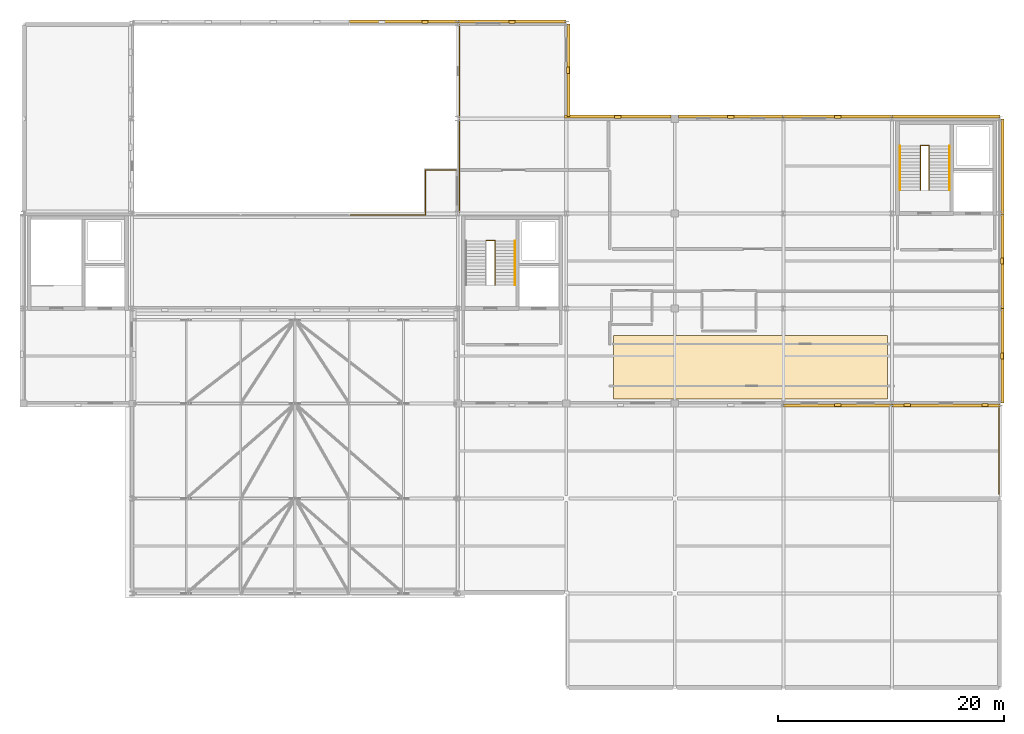
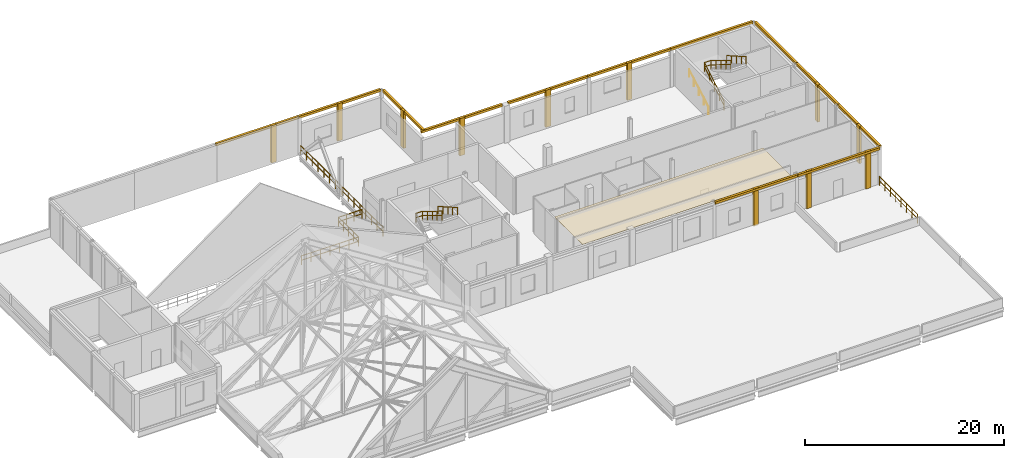
# One storey, part 26 of 26: 24 coverings, 14 railings.
"""IFC4 building model written with IfcOpenShell, lengths in metres."""

from ifc_helpers import new_model, si_unit, direction, frame, origin, origin_2d, place, context, subcontext, project, spatial, polyline, circle, outline, extrude, material, layer, layer_set, type_object, element, save


model = new_model("IFC4")

# Units and contexts
model_context = context("Model", 3, precision=1e-05, world=origin(), true_north=direction((0.0, 1.0)))
body_context = subcontext(model_context, "Body", "Model", "MODEL_VIEW")
ifc_project = project(units=[si_unit("LENGTHUNIT", "METRE"), si_unit("AREAUNIT", "SQUARE_METRE"), si_unit("VOLUMEUNIT", "CUBIC_METRE"), si_unit("PLANEANGLEUNIT", "RADIAN"), si_unit("MASSUNIT", "GRAM", prefix="KILO")], contexts=[model_context])

# Site, building, storey
site_placement = place(None, origin())
site = spatial("IfcSite", under=ifc_project, at=site_placement, CompositionType="ELEMENT")
building_placement = place(site_placement, origin())
building = spatial("IfcBuilding", under=site, at=building_placement, Name="Lornevale Opera House", CompositionType="ELEMENT")
storey_placement = place(building_placement, frame((0.0, 0.0, 19.800048828125)))
storey = spatial("IfcBuildingStorey", under=building, at=storey_placement, Name="L05", CompositionType="ELEMENT", Elevation=19.800048828125)

# Railings
ifc_material_1 = material(Name="Structural Steel CSA G40.21 Grade 350W (350 MPa)", Category="steel")
ifc_layer_1 = layer(ifc_material_1, 0.06005859375)
ifc_layer_set_1 = layer_set([ifc_layer_1], Name="Structural Steel CSA G40.21 Grade 350W (350 MPa)")
railing_type_1 = type_object("IfcRailingType", Name="Atrium Acoustic Balustrade 1120", PredefinedType="BALUSTRADE", material=ifc_layer_set_1)
railing_1_placement = place(storey_placement, frame((86.52001953125, 67.06005859375, 0.0)))
element("IfcRailing", 1, at=railing_1_placement, inside=storey, type_object=railing_type_1, Name="Atrium & Bowl Balustrade L05 0387", PredefinedType="BALUSTRADE", context=body_context, shape_type="SweptSolid", body=[
    extrude(circle(Radius=0.02392578125, at=origin_2d()), frame((0.0, 0.0, 1.09619140625), z_axis=(1.0, 0.0, 0.0), x_axis=(0.0, 1.0, 0.0)), (0.0, 0.0, 1.0), 6.619873046875),
    extrude(circle(Radius=0.02392578125, at=origin_2d()), frame((0.0, 0.0, 0.56005859375), z_axis=(1.0, 0.0, 0.0), x_axis=(0.0, 1.0, 0.0)), (0.0, 0.0, 1.0), 6.619873046875),
    extrude(circle(Radius=0.02099609375, at=origin_2d()), origin(), (0.0, 0.0, 1.0), 1.072021484375),
    extrude(circle(Radius=0.02099609375, at=origin_2d()), frame((1.103271484375, 0.0, 0.0)), (0.0, 0.0, 1.0), 1.072021484375),
    extrude(circle(Radius=0.02099609375, at=origin_2d()), frame((2.20654296875, 0.0, 0.0)), (0.0, 0.0, 1.0), 1.072021484375),
    extrude(circle(Radius=0.02099609375, at=origin_2d()), frame((3.31005859375, 0.0, 0.0)), (0.0, 0.0, 1.0), 1.072021484375),
    extrude(circle(Radius=0.02099609375, at=origin_2d()), frame((4.413330078125, 0.0, 0.0)), (0.0, 0.0, 1.0), 1.072021484375),
    extrude(circle(Radius=0.02099609375, at=origin_2d()), frame((5.5166015625, 0.0, 0.0)), (0.0, 0.0, 1.0), 1.072021484375),
    extrude(circle(Radius=0.02099609375, at=origin_2d()), frame((6.619873046875, 0.0, 0.0)), (0.0, 0.0, 1.0), 1.072021484375),
])
for number, where, name in (
    (2, (96.139892578125, 67.320068359375, 0.0), "Atrium & Bowl Balustrade L05 0388"),
    (3, (96.139892578125, 75.719970703125, 0.0), "Atrium & Bowl Balustrade L05 0389"),
):
    element("IfcRailing", number, at=place(storey_placement, frame(where)), inside=storey, type_object=railing_type_1, Name=name, PredefinedType="BALUSTRADE", context=body_context, shape_type="SweptSolid", body=[
        extrude(circle(Radius=0.02392578125, at=origin_2d()), frame((0.0, 0.0, 1.09619140625), z_axis=(0.0, 1.0, 0.0), x_axis=(-1.0, 0.0, 0.0)), (0.0, 0.0, 1.0), 8.159912109375),
        extrude(circle(Radius=0.02392578125, at=origin_2d()), frame((0.0, 0.0, 0.56005859375), z_axis=(0.0, 1.0, 0.0), x_axis=(-1.0, 0.0, 0.0)), (0.0, 0.0, 1.0), 8.159912109375),
        extrude(circle(Radius=0.02099609375, at=origin_2d()), origin(), (0.0, 0.0, 1.0), 1.072021484375),
        extrude(circle(Radius=0.02099609375, at=origin_2d()), frame((0.0, 1.165771484375, 0.0)), (0.0, 0.0, 1.0), 1.072021484375),
        extrude(circle(Radius=0.02099609375, at=origin_2d()), frame((0.0, 2.331298828125, 0.0)), (0.0, 0.0, 1.0), 1.072021484375),
        extrude(circle(Radius=0.02099609375, at=origin_2d()), frame((0.0, 3.4970703125, 0.0)), (0.0, 0.0, 1.0), 1.072021484375),
        extrude(circle(Radius=0.02099609375, at=origin_2d()), frame((0.0, 4.662841796875, 0.0)), (0.0, 0.0, 1.0), 1.072021484375),
        extrude(circle(Radius=0.02099609375, at=origin_2d()), frame((0.0, 5.82861328125, 0.0)), (0.0, 0.0, 1.0), 1.072021484375),
        extrude(circle(Radius=0.02099609375, at=origin_2d()), frame((0.0, 6.994140625, 0.0)), (0.0, 0.0, 1.0), 1.072021484375),
        extrude(circle(Radius=0.02099609375, at=origin_2d()), frame((0.0, 8.159912109375, 0.0)), (0.0, 0.0, 1.0), 1.072021484375),
    ])
railing_2_placement = place(storey_placement, frame((93.139892578125, 67.06005859375, 0.0)))
element("IfcRailing", 4, at=railing_2_placement, inside=storey, type_object=railing_type_1, Name="Fly Tower Catwalk Guard L05 0390", PredefinedType="BALUSTRADE", context=body_context, shape_type="SweptSolid", body=[
    extrude(circle(Radius=0.02392578125, at=origin_2d()), frame((0.0, 0.0, 1.09619140625), z_axis=(0.0, 1.0, 0.0), x_axis=(-1.0, 0.0, 0.0)), (0.0, 0.0, 1.0), 4.0),
    extrude(circle(Radius=0.02392578125, at=origin_2d()), frame((0.0, 0.0, 0.56005859375), z_axis=(0.0, 1.0, 0.0), x_axis=(-1.0, 0.0, 0.0)), (0.0, 0.0, 1.0), 4.0),
    extrude(circle(Radius=0.02099609375, at=origin_2d()), origin(), (0.0, 0.0, 1.0), 1.072021484375),
    extrude(circle(Radius=0.02099609375, at=origin_2d()), frame((0.0, 1.0, 0.0)), (0.0, 0.0, 1.0), 1.072021484375),
    extrude(circle(Radius=0.02099609375, at=origin_2d()), frame((0.0, 2.0, 0.0)), (0.0, 0.0, 1.0), 1.072021484375),
    extrude(circle(Radius=0.02099609375, at=origin_2d()), frame((0.0, 3.0, 0.0)), (0.0, 0.0, 1.0), 1.072021484375),
    extrude(circle(Radius=0.02099609375, at=origin_2d()), frame((0.0, 4.0, 0.0)), (0.0, 0.0, 1.0), 1.072021484375),
])
railing_3_placement = place(storey_placement, frame((93.139892578125, 71.06005859375, 0.0)))
element("IfcRailing", 5, at=railing_3_placement, inside=storey, type_object=railing_type_1, Name="Fly Tower Catwalk Guard L05 0391", PredefinedType="BALUSTRADE", context=body_context, shape_type="SweptSolid", body=[
    extrude(circle(Radius=0.02392578125, at=origin_2d()), frame((0.0, 0.0, 1.09619140625), z_axis=(1.0, 0.0, 0.0), x_axis=(0.0, 1.0, 0.0)), (0.0, 0.0, 1.0), 2.72021484375),
    extrude(circle(Radius=0.02392578125, at=origin_2d()), frame((0.0, 0.0, 0.56005859375), z_axis=(1.0, 0.0, 0.0), x_axis=(0.0, 1.0, 0.0)), (0.0, 0.0, 1.0), 2.72021484375),
    extrude(circle(Radius=0.02099609375, at=origin_2d()), origin(), (0.0, 0.0, 1.0), 1.072021484375),
    extrude(circle(Radius=0.02099609375, at=origin_2d()), frame((0.90673828125, 0.0, 0.0)), (0.0, 0.0, 1.0), 1.072021484375),
    extrude(circle(Radius=0.02099609375, at=origin_2d()), frame((1.8134765625, 0.0, 0.0)), (0.0, 0.0, 1.0), 1.072021484375),
    extrude(circle(Radius=0.02099609375, at=origin_2d()), frame((2.72021484375, 0.0, 0.0)), (0.0, 0.0, 1.0), 1.072021484375),
])

# Coverings
ifc_material_2 = material(Name="Precast Concrete 40 MPa (CSA A23.1 C-1)", Category="concrete")
ifc_layer_2 = layer(ifc_material_2, 0.260009765625)
ifc_layer_set_2 = layer_set([ifc_layer_2], Name="Precast Concrete 40 MPa (CSA A23.1 C-1)")
covering_type_1 = type_object("IfcCoveringType", Name="Postmodern Sandstone Pilaster Rib", PredefinedType="CLADDING", material=ifc_layer_set_2)
covering_1_placement = place(storey_placement, origin())
element("IfcCovering", 6, at=covering_1_placement, inside=storey, type_object=covering_type_1, Name="Postmodern Sandstone Pilaster 0435", PredefinedType="CLADDING", context=body_context, shape_type="SweptSolid", body=[
    extrude(outline(polyline([(92.827880859375, 84.0), (93.387939453125, 84.0), (93.387939453125, 84.280029296875), (92.827880859375, 84.280029296875), (92.827880859375, 84.0)])), origin(), (0.0, 0.0, 1.0), 4.579833984375),
])
covering_2_placement = place(storey_placement, origin())
element("IfcCovering", 7, at=covering_2_placement, inside=storey, type_object=covering_type_1, Name="Postmodern Sandstone Pilaster 0441", PredefinedType="CLADDING", context=body_context, shape_type="SweptSolid", body=[
    extrude(outline(polyline([(100.52001953125, 84.0), (101.080078125, 84.0), (101.080078125, 84.280029296875), (100.52001953125, 84.280029296875), (100.52001953125, 84.0)])), origin(), (0.0, 0.0, 1.0), 4.579833984375),
])
covering_3_placement = place(storey_placement, origin())
element("IfcCovering", 8, at=covering_3_placement, inside=storey, type_object=covering_type_1, Name="Postmodern Sandstone Pilaster 0443", PredefinedType="CLADDING", context=body_context, shape_type="SweptSolid", body=[
    extrude(outline(polyline([(105.60009765625, 80.153076171875), (105.60009765625, 79.593017578125), (105.8798828125, 79.593017578125), (105.8798828125, 80.153076171875), (105.60009765625, 80.153076171875)])), origin(), (0.0, 0.0, 1.0), 4.579833984375),
])
covering_4_placement = place(storey_placement, origin())
element("IfcCovering", 9, at=covering_4_placement, inside=storey, type_object=covering_type_1, Name="Postmodern Sandstone Pilaster 0447", PredefinedType="CLADDING", context=body_context, shape_type="SweptSolid", body=[
    extrude(outline(polyline([(109.87890625, 75.60009765625), (110.43896484375, 75.60009765625), (110.43896484375, 75.8798828125), (109.87890625, 75.8798828125), (109.87890625, 75.60009765625)])), origin(), (0.0, 0.0, 1.0), 4.579833984375),
])
covering_5_placement = place(storey_placement, origin())
element("IfcCovering", 10, at=covering_5_placement, inside=storey, type_object=covering_type_1, Name="Postmodern Sandstone Pilaster 0451", PredefinedType="CLADDING", context=body_context, shape_type="SweptSolid", body=[
    extrude(outline(polyline([(119.873046875, 75.60009765625), (120.43310546875, 75.60009765625), (120.43310546875, 75.8798828125), (119.873046875, 75.8798828125), (119.873046875, 75.60009765625)])), origin(), (0.0, 0.0, 1.0), 4.579833984375),
])
covering_6_placement = place(storey_placement, origin())
element("IfcCovering", 11, at=covering_6_placement, inside=storey, type_object=covering_type_1, Name="Postmodern Sandstone Pilaster 0453", PredefinedType="CLADDING", context=body_context, shape_type="SweptSolid", body=[
    extrude(outline(polyline([(129.8798828125, 50.39990234375), (129.320068359375, 50.39990234375), (129.320068359375, 50.1201171875), (129.8798828125, 50.1201171875), (129.8798828125, 50.39990234375)])), origin(), (0.0, 0.0, 1.0), 4.579833984375),
])
covering_7_placement = place(storey_placement, origin())
element("IfcCovering", 12, at=covering_7_placement, inside=storey, type_object=covering_type_1, Name="Postmodern Sandstone Pilaster 0455", PredefinedType="CLADDING", context=body_context, shape_type="SweptSolid", body=[
    extrude(outline(polyline([(129.320068359375, 75.60009765625), (129.8798828125, 75.60009765625), (129.8798828125, 75.8798828125), (129.320068359375, 75.8798828125), (129.320068359375, 75.60009765625)])), origin(), (0.0, 0.0, 1.0), 4.579833984375),
])
covering_8_placement = place(storey_placement, origin())
element("IfcCovering", 13, at=covering_8_placement, inside=storey, type_object=covering_type_1, Name="Postmodern Sandstone Pilaster 0457", PredefinedType="CLADDING", context=body_context, shape_type="SweptSolid", body=[
    extrude(outline(polyline([(142.922119140625, 50.39990234375), (142.362060546875, 50.39990234375), (142.362060546875, 50.1201171875), (142.922119140625, 50.1201171875), (142.922119140625, 50.39990234375)])), origin(), (0.0, 0.0, 1.0), 4.579833984375),
])
covering_9_placement = place(storey_placement, origin())
element("IfcCovering", 14, at=covering_9_placement, inside=storey, type_object=covering_type_1, Name="Postmodern Sandstone Pilaster 0458", PredefinedType="CLADDING", context=body_context, shape_type="SweptSolid", body=[
    extrude(outline(polyline([(136.0380859375, 50.39990234375), (135.47802734375, 50.39990234375), (135.47802734375, 50.1201171875), (136.0380859375, 50.1201171875), (136.0380859375, 50.39990234375)])), origin(), (0.0, 0.0, 1.0), 4.579833984375),
])
covering_10_placement = place(storey_placement, origin())
element("IfcCovering", 15, at=covering_10_placement, inside=storey, type_object=covering_type_1, Name="Postmodern Sandstone Pilaster 0460", PredefinedType="CLADDING", context=body_context, shape_type="SweptSolid", body=[
    extrude(outline(polyline([(144.0, 54.8798828125), (144.0, 54.320068359375), (144.280029296875, 54.320068359375), (144.280029296875, 54.8798828125), (144.0, 54.8798828125)])), origin(), (0.0, 0.0, 1.0), 4.579833984375),
])
covering_11_placement = place(storey_placement, origin())
element("IfcCovering", 16, at=covering_11_placement, inside=storey, type_object=covering_type_1, Name="Postmodern Sandstone Pilaster 0462", PredefinedType="CLADDING", context=body_context, shape_type="SweptSolid", body=[
    extrude(outline(polyline([(144.0, 63.280029296875), (144.0, 62.719970703125), (144.280029296875, 62.719970703125), (144.280029296875, 63.280029296875), (144.0, 63.280029296875)])), origin(), (0.0, 0.0, 1.0), 4.579833984375),
])
ifc_material_3 = material(Name="Queenston Buff Limestone Ashlar Masonry (25 MPa)", Category="masonry")
ifc_layer_3 = layer(ifc_material_3, 0.1201171875)
ifc_layer_set_3 = layer_set([ifc_layer_3], Name="Queenston Buff Limestone Ashlar Masonry (25 MPa)")
covering_type_2 = type_object("IfcCoveringType", Name="Precast Limestone Cornice Band", PredefinedType="CLADDING", material=ifc_layer_set_3)
covering_12_placement = place(storey_placement, frame((0.0, 0.0, 4.300048828125)))
element("IfcCovering", 17, at=covering_12_placement, inside=storey, type_object=covering_type_2, Name="Precast Limestone Cornice Band 0436", PredefinedType="CLADDING", context=body_context, shape_type="SweptSolid", body=[
    extrude(outline(polyline([(86.405029296875, 84.06005859375), (95.97998046875, 84.06005859375), (95.97998046875, 84.320068359375), (86.405029296875, 84.320068359375), (86.405029296875, 84.06005859375)])), origin(), (0.0, 0.0, 1.0), 0.27978515625),
])
covering_13_placement = place(storey_placement, frame((0.0, 0.0, 4.300048828125)))
element("IfcCovering", 18, at=covering_13_placement, inside=storey, type_object=covering_type_2, Name="Precast Limestone Cornice Band 0442", PredefinedType="CLADDING", context=body_context, shape_type="SweptSolid", body=[
    extrude(outline(polyline([(96.02001953125, 84.06005859375), (105.580078125, 84.06005859375), (105.580078125, 84.320068359375), (96.02001953125, 84.320068359375), (96.02001953125, 84.06005859375)])), origin(), (0.0, 0.0, 1.0), 0.27978515625),
])
covering_14_placement = place(storey_placement, frame((0.0, 0.0, 4.300048828125)))
element("IfcCovering", 19, at=covering_14_placement, inside=storey, type_object=covering_type_2, Name="Precast Limestone Cornice Band 0444", PredefinedType="CLADDING", context=body_context, shape_type="SweptSolid", body=[
    extrude(outline(polyline([(105.659912109375, 83.97998046875), (105.659912109375, 75.76708984375), (105.919921875, 75.76708984375), (105.919921875, 83.97998046875), (105.659912109375, 83.97998046875)])), origin(), (0.0, 0.0, 1.0), 0.27978515625),
])
covering_15_placement = place(storey_placement, frame((0.0, 0.0, 4.300048828125)))
element("IfcCovering", 20, at=covering_15_placement, inside=storey, type_object=covering_type_2, Name="Precast Limestone Cornice Band 0448", PredefinedType="CLADDING", context=body_context, shape_type="SweptSolid", body=[
    extrude(outline(polyline([(105.444091796875, 75.659912109375), (114.875, 75.659912109375), (114.875, 75.919921875), (105.444091796875, 75.919921875), (105.444091796875, 75.659912109375)])), origin(), (0.0, 0.0, 1.0), 0.27978515625),
])
covering_16_placement = place(storey_placement, frame((0.0, 0.0, 4.300048828125)))
element("IfcCovering", 21, at=covering_16_placement, inside=storey, type_object=covering_type_2, Name="Precast Limestone Cornice Band 0452", PredefinedType="CLADDING", context=body_context, shape_type="SweptSolid", body=[
    extrude(outline(polyline([(115.52490234375, 75.659912109375), (124.780029296875, 75.659912109375), (124.780029296875, 75.919921875), (115.52490234375, 75.919921875), (115.52490234375, 75.659912109375)])), origin(), (0.0, 0.0, 1.0), 0.27978515625),
])
covering_17_placement = place(storey_placement, frame((0.0, 0.0, 4.300048828125)))
element("IfcCovering", 22, at=covering_17_placement, inside=storey, type_object=covering_type_2, Name="Precast Limestone Cornice Band 0454", PredefinedType="CLADDING", context=body_context, shape_type="SweptSolid", body=[
    extrude(outline(polyline([(134.3798828125, 50.340087890625), (124.820068359375, 50.340087890625), (124.820068359375, 50.080078125), (134.3798828125, 50.080078125), (134.3798828125, 50.340087890625)])), origin(), (0.0, 0.0, 1.0), 0.27978515625),
])
covering_18_placement = place(storey_placement, frame((0.0, 0.0, 4.300048828125)))
element("IfcCovering", 23, at=covering_18_placement, inside=storey, type_object=covering_type_2, Name="Precast Limestone Cornice Band 0456", PredefinedType="CLADDING", context=body_context, shape_type="SweptSolid", body=[
    extrude(outline(polyline([(124.820068359375, 75.659912109375), (134.3798828125, 75.659912109375), (134.3798828125, 75.919921875), (124.820068359375, 75.919921875), (124.820068359375, 75.659912109375)])), origin(), (0.0, 0.0, 1.0), 0.27978515625),
])
covering_19_placement = place(storey_placement, frame((0.0, 0.0, 4.300048828125)))
element("IfcCovering", 24, at=covering_19_placement, inside=storey, type_object=covering_type_2, Name="Precast Limestone Cornice Band 0459", PredefinedType="CLADDING", context=body_context, shape_type="SweptSolid", body=[
    extrude(outline(polyline([(143.97998046875, 50.340087890625), (134.419921875, 50.340087890625), (134.419921875, 50.080078125), (143.97998046875, 50.080078125), (143.97998046875, 50.340087890625)])), origin(), (0.0, 0.0, 1.0), 0.27978515625),
])
covering_20_placement = place(storey_placement, frame((0.0, 0.0, 4.300048828125)))
element("IfcCovering", 25, at=covering_20_placement, inside=storey, type_object=covering_type_2, Name="Precast Limestone Cornice Band 0461", PredefinedType="CLADDING", context=body_context, shape_type="SweptSolid", body=[
    extrude(outline(polyline([(144.06005859375, 58.780029296875), (144.06005859375, 50.419921875), (144.320068359375, 50.419921875), (144.320068359375, 58.780029296875), (144.06005859375, 58.780029296875)])), origin(), (0.0, 0.0, 1.0), 0.27978515625),
])
covering_21_placement = place(storey_placement, frame((0.0, 0.0, 4.300048828125)))
element("IfcCovering", 26, at=covering_21_placement, inside=storey, type_object=covering_type_2, Name="Precast Limestone Cornice Band 0463", PredefinedType="CLADDING", context=body_context, shape_type="SweptSolid", body=[
    extrude(outline(polyline([(144.06005859375, 67.179931640625), (144.06005859375, 58.820068359375), (144.320068359375, 58.820068359375), (144.320068359375, 67.179931640625), (144.06005859375, 67.179931640625)])), origin(), (0.0, 0.0, 1.0), 0.27978515625),
])
covering_22_placement = place(storey_placement, frame((0.0, 0.0, 4.300048828125)))
element("IfcCovering", 27, at=covering_22_placement, inside=storey, type_object=covering_type_2, Name="Precast Limestone Cornice Band 0464", PredefinedType="CLADDING", context=body_context, shape_type="SweptSolid", body=[
    extrude(outline(polyline([(134.419921875, 75.659912109375), (143.97998046875, 75.659912109375), (143.97998046875, 75.919921875), (134.419921875, 75.919921875), (134.419921875, 75.659912109375)])), origin(), (0.0, 0.0, 1.0), 0.27978515625),
])
covering_23_placement = place(storey_placement, frame((0.0, 0.0, 4.300048828125)))
element("IfcCovering", 28, at=covering_23_placement, inside=storey, type_object=covering_type_2, Name="Precast Limestone Cornice Band 0465", PredefinedType="CLADDING", context=body_context, shape_type="SweptSolid", body=[
    extrude(outline(polyline([(144.06005859375, 75.580078125), (144.06005859375, 67.219970703125), (144.320068359375, 67.219970703125), (144.320068359375, 75.580078125), (144.06005859375, 75.580078125)])), origin(), (0.0, 0.0, 1.0), 0.27978515625),
])

# Railings
ifc_layer_4 = layer(ifc_material_1, 0.050048828125)
ifc_layer_set_4 = layer_set([ifc_layer_4], Name="Structural Steel CSA G40.21 Grade 350W (350 MPa)")
railing_type_2 = type_object("IfcRailingType", Name="Stair Well Guardrail 1100", PredefinedType="GUARDRAIL", material=ifc_layer_set_4)
railing_4_placement = place(storey_placement, frame((99.280029296875, 64.780029296875, 2.39990234375)))
element("IfcRailing", 29, at=railing_4_placement, inside=storey, type_object=railing_type_2, Name="ST-26 Inner Well Guard F2", PredefinedType="GUARDRAIL", context=body_context, shape_type="SweptSolid", body=[
    extrude(circle(Radius=0.02392578125, at=origin_2d()), frame((0.0, 0.0, 1.076171875), z_axis=(0.0, -0.852832477147, 0.522184609045), x_axis=(1.0, 0.0, 0.0)), (0.0, 0.0, 1.0), 4.596435546875),
    extrude(circle(Radius=0.02392578125, at=origin_2d()), frame((0.0, 0.0, 0.550048828125), z_axis=(0.0, -0.852832477147, 0.522184609045), x_axis=(1.0, 0.0, 0.0)), (0.0, 0.0, 1.0), 4.596435546875),
    extrude(circle(Radius=0.02099609375, at=origin_2d()), origin(), (0.0, 0.0, 1.0), 1.052001953125),
    extrude(circle(Radius=0.02099609375, at=origin_2d()), frame((0.0, -0.97998046875, 0.60009765625)), (0.0, 0.0, 1.0), 1.052001953125),
    extrude(circle(Radius=0.02099609375, at=origin_2d()), frame((0.0, -1.9599609375, 1.2001953125)), (0.0, 0.0, 1.0), 1.052001953125),
    extrude(circle(Radius=0.02099609375, at=origin_2d()), frame((0.0, -2.93994140625, 1.800048828125)), (0.0, 0.0, 1.0), 1.052001953125),
    extrude(circle(Radius=0.02099609375, at=origin_2d()), frame((0.0, -3.919921875, 2.400146484375)), (0.0, 0.0, 1.0), 1.052001953125),
])
railing_5_placement = place(storey_placement, frame((98.52001953125, 64.81005859375, 2.39990234375)))
element("IfcRailing", 30, at=railing_5_placement, inside=storey, type_object=railing_type_2, Name="ST-26 Half-Landing Slot Guard", PredefinedType="GUARDRAIL", context=body_context, shape_type="SweptSolid", body=[
    extrude(circle(Radius=0.02392578125, at=origin_2d()), frame((0.0, 0.0, 1.076171875), z_axis=(1.0, 0.0, 0.0), x_axis=(0.0, 1.0, 0.0)), (0.0, 0.0, 1.0), 0.760009765625),
    extrude(circle(Radius=0.02392578125, at=origin_2d()), frame((0.0, 0.0, 0.550048828125), z_axis=(1.0, 0.0, 0.0), x_axis=(0.0, 1.0, 0.0)), (0.0, 0.0, 1.0), 0.760009765625),
    extrude(circle(Radius=0.02099609375, at=origin_2d()), origin(), (0.0, 0.0, 1.0), 1.052001953125),
    extrude(circle(Radius=0.02099609375, at=origin_2d()), frame((0.760009765625, 0.0, 0.0)), (0.0, 0.0, 1.0), 1.052001953125),
])
railing_6_placement = place(storey_placement, frame((136.919921875, 69.260009765625, 0.0)))
element("IfcRailing", 31, at=railing_6_placement, inside=storey, type_object=railing_type_2, Name="ST-34 Inner Well Guard F1", PredefinedType="GUARDRAIL", context=body_context, shape_type="SweptSolid", body=[
    extrude(circle(Radius=0.02392578125, at=origin_2d()), frame((0.0, 0.0, 1.076171875), z_axis=(0.0, 0.852856131449, 0.522145974847), x_axis=(-1.0, 0.0, 0.0)), (0.0, 0.0, 1.0), 4.59619140625),
    extrude(circle(Radius=0.02392578125, at=origin_2d()), frame((0.0, 0.0, 0.550048828125), z_axis=(0.0, 0.852856131449, 0.522145974847), x_axis=(-1.0, 0.0, 0.0)), (0.0, 0.0, 1.0), 4.59619140625),
    extrude(circle(Radius=0.02099609375, at=origin_2d()), origin(), (0.0, 0.0, 1.0), 1.052001953125),
    extrude(circle(Radius=0.02099609375, at=origin_2d()), frame((0.0, 0.97998046875, 0.60009765625)), (0.0, 0.0, 1.0), 1.052001953125),
    extrude(circle(Radius=0.02099609375, at=origin_2d()), frame((0.0, 1.9599609375, 1.199951171875)), (0.0, 0.0, 1.0), 1.052001953125),
    extrude(circle(Radius=0.02099609375, at=origin_2d()), frame((0.0, 2.93994140625, 1.7998046875)), (0.0, 0.0, 1.0), 1.052001953125),
    extrude(circle(Radius=0.02099609375, at=origin_2d()), frame((0.0, 3.919921875, 2.39990234375)), (0.0, 0.0, 1.0), 1.052001953125),
])
railing_7_placement = place(storey_placement, frame((137.679931640625, 73.179931640625, 2.39990234375)))
element("IfcRailing", 32, at=railing_7_placement, inside=storey, type_object=railing_type_2, Name="ST-34 Inner Well Guard F2", PredefinedType="GUARDRAIL", context=body_context, shape_type="SweptSolid", body=[
    extrude(circle(Radius=0.02392578125, at=origin_2d()), frame((0.0, 0.0, 1.076171875), z_axis=(0.0, -0.852832477147, 0.522184609045), x_axis=(1.0, 0.0, 0.0)), (0.0, 0.0, 1.0), 4.596435546875),
    extrude(circle(Radius=0.02392578125, at=origin_2d()), frame((0.0, 0.0, 0.550048828125), z_axis=(0.0, -0.852832477147, 0.522184609045), x_axis=(1.0, 0.0, 0.0)), (0.0, 0.0, 1.0), 4.596435546875),
    extrude(circle(Radius=0.02099609375, at=origin_2d()), origin(), (0.0, 0.0, 1.0), 1.052001953125),
    extrude(circle(Radius=0.02099609375, at=origin_2d()), frame((0.0, -0.97998046875, 0.60009765625)), (0.0, 0.0, 1.0), 1.052001953125),
    extrude(circle(Radius=0.02099609375, at=origin_2d()), frame((0.0, -1.9599609375, 1.2001953125)), (0.0, 0.0, 1.0), 1.052001953125),
    extrude(circle(Radius=0.02099609375, at=origin_2d()), frame((0.0, -2.93994140625, 1.800048828125)), (0.0, 0.0, 1.0), 1.052001953125),
    extrude(circle(Radius=0.02099609375, at=origin_2d()), frame((0.0, -3.919921875, 2.400146484375)), (0.0, 0.0, 1.0), 1.052001953125),
])
railing_8_placement = place(storey_placement, frame((136.919921875, 73.2099609375, 2.39990234375)))
element("IfcRailing", 33, at=railing_8_placement, inside=storey, type_object=railing_type_2, Name="ST-34 Half-Landing Slot Guard", PredefinedType="GUARDRAIL", context=body_context, shape_type="SweptSolid", body=[
    extrude(circle(Radius=0.02392578125, at=origin_2d()), frame((0.0, 0.0, 1.076171875), z_axis=(1.0, 0.0, 0.0), x_axis=(0.0, 1.0, 0.0)), (0.0, 0.0, 1.0), 0.760009765625),
    extrude(circle(Radius=0.02392578125, at=origin_2d()), frame((0.0, 0.0, 0.550048828125), z_axis=(1.0, 0.0, 0.0), x_axis=(0.0, 1.0, 0.0)), (0.0, 0.0, 1.0), 0.760009765625),
    extrude(circle(Radius=0.02099609375, at=origin_2d()), origin(), (0.0, 0.0, 1.0), 1.052001953125),
    extrude(circle(Radius=0.02099609375, at=origin_2d()), frame((0.760009765625, 0.0, 0.0)), (0.0, 0.0, 1.0), 1.052001953125),
])
ifc_layer_5 = layer(ifc_material_1, 0.06005859375)
ifc_layer_set_5 = layer_set([ifc_layer_5], Name="Structural Steel CSA G40.21 Grade 350W (350 MPa)")
railing_type_3 = type_object("IfcRailingType", Name="Terrace Tubular Guardrail 1120", PredefinedType="GUARDRAIL", material=ifc_layer_set_5)
railing_9_placement = place(storey_placement, frame((143.860107421875, 42.3798828125, 0.0)))
element("IfcRailing", 34, at=railing_9_placement, inside=storey, type_object=railing_type_3, Name="Terrace Perimeter Guard L05 0384", PredefinedType="GUARDRAIL", context=body_context, shape_type="SweptSolid", body=[
    extrude(circle(Radius=0.02392578125, at=origin_2d()), frame((0.0, 0.0, 1.09619140625), z_axis=(0.0, 1.0, 0.0), x_axis=(-1.0, 0.0, 0.0)), (0.0, 0.0, 1.0), 7.64013671875),
    extrude(circle(Radius=0.02392578125, at=origin_2d()), frame((0.0, 0.0, 0.56005859375), z_axis=(0.0, 1.0, 0.0), x_axis=(-1.0, 0.0, 0.0)), (0.0, 0.0, 1.0), 7.64013671875),
    extrude(circle(Radius=0.02099609375, at=origin_2d()), origin(), (0.0, 0.0, 1.0), 1.072021484375),
    extrude(circle(Radius=0.02099609375, at=origin_2d()), frame((0.0, 1.091552734375, 0.0)), (0.0, 0.0, 1.0), 1.072021484375),
    extrude(circle(Radius=0.02099609375, at=origin_2d()), frame((0.0, 2.182861328125, 0.0)), (0.0, 0.0, 1.0), 1.072021484375),
    extrude(circle(Radius=0.02099609375, at=origin_2d()), frame((0.0, 3.2744140625, 0.0)), (0.0, 0.0, 1.0), 1.072021484375),
    extrude(circle(Radius=0.02099609375, at=origin_2d()), frame((0.0, 4.36572265625, 0.0)), (0.0, 0.0, 1.0), 1.072021484375),
    extrude(circle(Radius=0.02099609375, at=origin_2d()), frame((0.0, 5.457275390625, 0.0)), (0.0, 0.0, 1.0), 1.072021484375),
    extrude(circle(Radius=0.02099609375, at=origin_2d()), frame((0.0, 6.548583984375, 0.0)), (0.0, 0.0, 1.0), 1.072021484375),
    extrude(circle(Radius=0.02099609375, at=origin_2d()), frame((0.0, 7.64013671875, 0.0)), (0.0, 0.0, 1.0), 1.072021484375),
])
ifc_layer_6 = layer(ifc_material_1, 0.048095703125)
ifc_layer_set_6 = layer_set([ifc_layer_6], Name="Structural Steel CSA G40.21 Grade 350W (350 MPa)")
railing_type_4 = type_object("IfcRailingType", Name="Tubular Stair Handrail 915", PredefinedType="HANDRAIL", material=ifc_layer_set_6)
railing_10_placement = place(storey_placement, frame((101.080078125, 64.780029296875, 2.56298828125)))
element("IfcRailing", 35, at=railing_10_placement, inside=storey, type_object=railing_type_4, Name="ST-26 Outer Handrail F2", PredefinedType="HANDRAIL", context=body_context, shape_type="SweptSolid", body=[
    extrude(circle(Radius=0.02392578125, at=origin_2d()), frame((0.0, 0.0, 0.89111328125), z_axis=(0.0, -0.868239814368, 0.496144761885), x_axis=(1.0, 0.0, 0.0)), (0.0, 0.0, 1.0), 4.514892578125),
    extrude(circle(Radius=0.02099609375, at=origin_2d()), origin(), (0.0, 0.0, 1.0), 0.866943359375),
    extrude(circle(Radius=0.02099609375, at=origin_2d()), frame((0.0, -0.97998046875, 0.56005859375)), (0.0, 0.0, 1.0), 0.866943359375),
    extrude(circle(Radius=0.02099609375, at=origin_2d()), frame((0.0, -1.9599609375, 1.1201171875)), (0.0, 0.0, 1.0), 0.866943359375),
    extrude(circle(Radius=0.02099609375, at=origin_2d()), frame((0.0, -2.93994140625, 1.679931640625)), (0.0, 0.0, 1.0), 0.866943359375),
    extrude(circle(Radius=0.02099609375, at=origin_2d()), frame((0.0, -3.919921875, 2.239990234375)), (0.0, 0.0, 1.0), 0.866943359375),
])
railing_11_placement = place(storey_placement, frame((135.1201171875, 69.260009765625, 0.162841796875)))
element("IfcRailing", 36, at=railing_11_placement, inside=storey, type_object=railing_type_4, Name="ST-34 Outer Handrail F1", PredefinedType="HANDRAIL", context=body_context, shape_type="SweptSolid", body=[
    extrude(circle(Radius=0.02392578125, at=origin_2d()), frame((0.0, 0.0, 0.89111328125), z_axis=(0.0, 0.868239814368, 0.496144761885), x_axis=(-1.0, 0.0, 0.0)), (0.0, 0.0, 1.0), 4.514892578125),
    extrude(circle(Radius=0.02099609375, at=origin_2d()), origin(), (0.0, 0.0, 1.0), 0.866943359375),
    extrude(circle(Radius=0.02099609375, at=origin_2d()), frame((0.0, 0.97998046875, 0.56005859375)), (0.0, 0.0, 1.0), 0.866943359375),
    extrude(circle(Radius=0.02099609375, at=origin_2d()), frame((0.0, 1.9599609375, 1.1201171875)), (0.0, 0.0, 1.0), 0.866943359375),
    extrude(circle(Radius=0.02099609375, at=origin_2d()), frame((0.0, 2.93994140625, 1.679931640625)), (0.0, 0.0, 1.0), 0.866943359375),
    extrude(circle(Radius=0.02099609375, at=origin_2d()), frame((0.0, 3.919921875, 2.239990234375)), (0.0, 0.0, 1.0), 0.866943359375),
])
railing_12_placement = place(storey_placement, frame((139.47998046875, 73.179931640625, 2.56298828125)))
element("IfcRailing", 37, at=railing_12_placement, inside=storey, type_object=railing_type_4, Name="ST-34 Outer Handrail F2", PredefinedType="HANDRAIL", context=body_context, shape_type="SweptSolid", body=[
    extrude(circle(Radius=0.02392578125, at=origin_2d()), frame((0.0, 0.0, 0.89111328125), z_axis=(0.0, -0.868239814368, 0.496144761885), x_axis=(1.0, 0.0, 0.0)), (0.0, 0.0, 1.0), 4.514892578125),
    extrude(circle(Radius=0.02099609375, at=origin_2d()), origin(), (0.0, 0.0, 1.0), 0.866943359375),
    extrude(circle(Radius=0.02099609375, at=origin_2d()), frame((0.0, -0.97998046875, 0.56005859375)), (0.0, 0.0, 1.0), 0.866943359375),
    extrude(circle(Radius=0.02099609375, at=origin_2d()), frame((0.0, -1.9599609375, 1.1201171875)), (0.0, 0.0, 1.0), 0.866943359375),
    extrude(circle(Radius=0.02099609375, at=origin_2d()), frame((0.0, -2.93994140625, 1.679931640625)), (0.0, 0.0, 1.0), 0.866943359375),
    extrude(circle(Radius=0.02099609375, at=origin_2d()), frame((0.0, -3.919921875, 2.239990234375)), (0.0, 0.0, 1.0), 0.866943359375),
])

# Covering
ifc_material_4 = material(Name="White Oak Acoustic Panelling", Category="wood")
ifc_layer_7 = layer(ifc_material_4, 0.050048828125)
ifc_layer_set_7 = layer_set([ifc_layer_7], Name="White Oak Acoustic Panelling")
covering_type_3 = type_object("IfcCoveringType", Name="White Oak Acoustic Ceiling Liner", PredefinedType="CEILING", material=ifc_layer_set_7)
covering_24_placement = place(storey_placement, frame((0.0, 0.0, 4.14990234375)))
element("IfcCovering", 38, at=covering_24_placement, inside=storey, type_object=covering_type_3, Name="White Oak Acoustic Ceiling Liner 06", PredefinedType="CEILING", context=body_context, shape_type="SweptSolid", body=[
    extrude(outline(polyline([(109.800048828125, 50.800048828125), (134.0, 50.800048828125), (134.0, 56.39990234375), (109.800048828125, 56.39990234375), (109.800048828125, 50.800048828125)])), origin(), (0.0, 0.0, 1.0), 0.050048828125),
])

save(model, "model.ifc")
